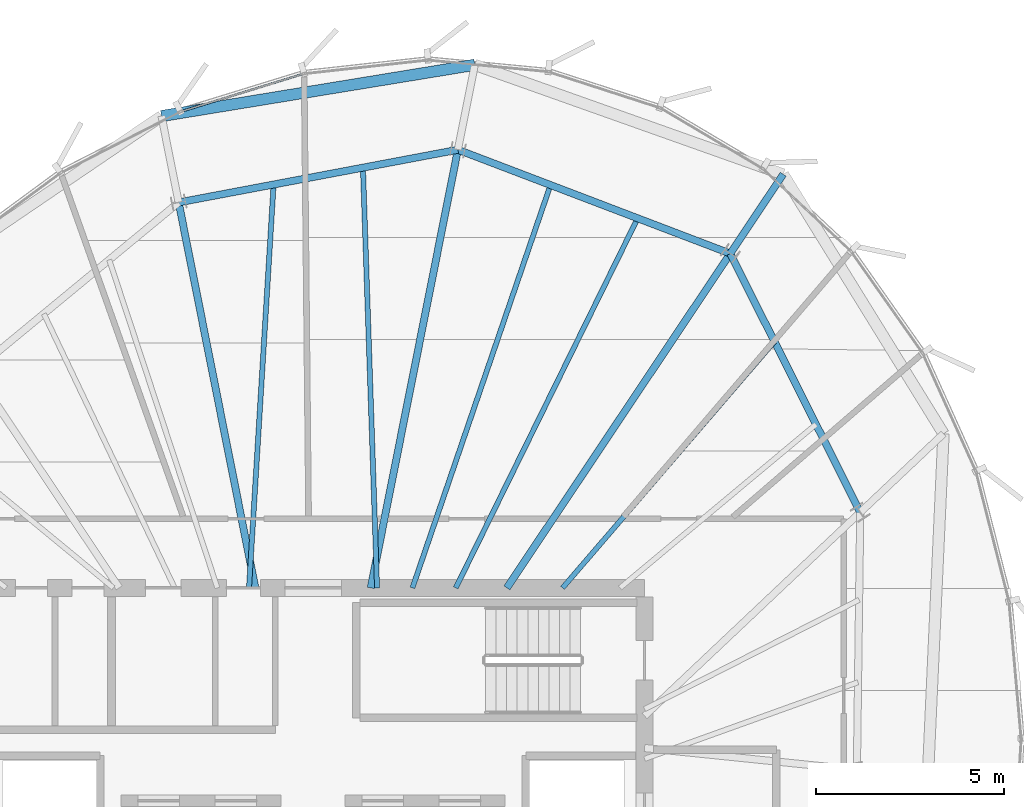
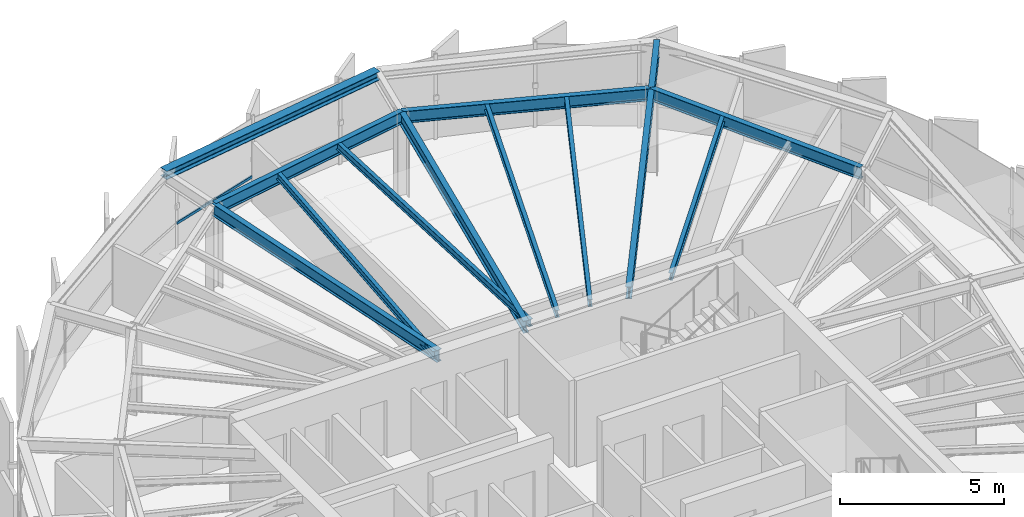
# One storey, part 19 of 30: 13 beams, 1 member, 1 element without a shape of its own.
"""IFC4 building model written with IfcOpenShell, lengths in metres."""

import ifcopenshell
import ifcopenshell.guid

model = None  # the IFC model being written
_history = None  # IfcOwnerHistory: only IFC2X3 demands one
_inside = {}  # id of a spatial element -> (the spatial element, [elements in it])
_under = {}  # id of a project, library or spatial element -> (it, [spatial elements below it])
_declared = {}  # id of a project -> (the project, [libraries it declares])
_typed = {}  # id of a type object -> (the type object, [elements of that type])
_made_of = {}  # id of a material, layer set ... -> (it, [elements and type objects made of it])


def new_model(schema):
    """Start an empty IFC model of exactly this schema.

    Asked for "IFC4X3", IfcOpenShell would pick the latest addendum, in which some entities
    have other attributes; the version numbers below select the first issue.
    IFC2X3 requires an IfcOwnerHistory on every rooted entity: one is made here for all.
    """
    global model, _history
    if schema == "IFC4X3":
        model = ifcopenshell.file(schema_version=(4, 3, 0, 0))
    else:
        model = ifcopenshell.file(schema=schema)
    _inside.clear()
    _under.clear()
    _declared.clear()
    _typed.clear()
    _made_of.clear()
    _history = None
    if model.schema == "IFC2X3":
        org = make("IfcOrganization", Name="unknown")
        user = make(
            "IfcPersonAndOrganization",
            ThePerson=make("IfcPerson", FamilyName="unknown"),
            TheOrganization=org,
        )
        app = make(
            "IfcApplication",
            ApplicationDeveloper=org,
            Version="unknown",
            ApplicationFullName="unknown",
            ApplicationIdentifier="unknown",
        )
        _history = make(
            "IfcOwnerHistory",
            OwningUser=user,
            OwningApplication=app,
            ChangeAction="ADDED",
            CreationDate=0,
        )
    return model


def make(cls, **values):
    """One entity of the class cls with the attributes given. An attribute that is None is left unset."""
    return model.create_entity(
        cls, **{name: value for name, value in values.items() if value is not None}
    )


def rooted(cls, **values):
    """An entity with a GlobalId (a new one), such as an element, a storey or a relation."""
    return make(cls, GlobalId=ifcopenshell.guid.new(), OwnerHistory=_history, **values)


def si_unit(unit_type, name, prefix=None):
    """IfcSIUnit, for example si_unit("LENGTHUNIT", "METRE", prefix="MILLI")."""
    return make("IfcSIUnit", UnitType=unit_type, Prefix=prefix, Name=name)


def assignment(units):
    """IfcUnitAssignment: the units of a project."""
    return None if units is None else make("IfcUnitAssignment", Units=units)


def point(xyz):
    """IfcCartesianPoint."""
    return None if xyz is None else make("IfcCartesianPoint", Coordinates=xyz)


def direction(xyz):
    """IfcDirection."""
    return None if xyz is None else make("IfcDirection", DirectionRatios=xyz)


def frame(location, z_axis=None, x_axis=None):
    """IfcAxis2Placement3D, a coordinate frame: its origin and axes. An axis left out is left unset."""
    return make(
        "IfcAxis2Placement3D",
        Location=point(location),
        Axis=direction(z_axis),
        RefDirection=direction(x_axis),
    )


def frame_2d(location, x_axis=None):
    """IfcAxis2Placement2D, a coordinate frame in the plane: its origin and x axis."""
    return make(
        "IfcAxis2Placement2D", Location=point(location), RefDirection=direction(x_axis)
    )


def origin():
    """The frame at (0, 0, 0) with its axes left unset."""
    return frame((0.0, 0.0, 0.0))


def origin_2d():
    """The frame at (0, 0) in the plane with its x axis left unset."""
    return frame_2d((0.0, 0.0))


def place(relative_to, where):
    """IfcLocalPlacement: puts the frame where relative to a parent placement (None: the world)."""
    return make(
        "IfcLocalPlacement", PlacementRelTo=relative_to, RelativePlacement=where
    )


def context(
    kind, dimensions, precision=None, world=None, true_north=None, identifier=None
):
    """IfcGeometricRepresentationContext, for example the 3D "Model" context."""
    return make(
        "IfcGeometricRepresentationContext",
        ContextIdentifier=identifier,
        ContextType=kind,
        CoordinateSpaceDimension=dimensions,
        Precision=precision,
        WorldCoordinateSystem=world,
        TrueNorth=true_north,
    )


def subcontext(parent, identifier, kind, view, scale=None):
    """IfcGeometricRepresentationSubContext, for example "Body" below "Model"."""
    return make(
        "IfcGeometricRepresentationSubContext",
        ContextIdentifier=identifier,
        ContextType=kind,
        ParentContext=parent,
        TargetScale=scale,
        TargetView=view,
    )


def project(units=None, contexts=None):
    """IfcProject with its units and contexts."""
    return rooted(
        "IfcProject",
        Name="project",
        RepresentationContexts=contexts,
        UnitsInContext=assignment(units),
    )


def spatial(cls, under=None, at=None, **own):
    """A site, building, storey or space (cls), placed at a placement, below another one or the project."""
    s = rooted(cls, ObjectPlacement=at, **own)
    if under is not None:
        _under.setdefault(under.id(), (under, []))[1].append(s)
    return s


def profile(cls, at=None, kind="AREA", **sizes):
    """A parametric profile (cls). Its sizes go by their IFC names, for example OverallWidth=200.0."""
    return make(cls, ProfileType=kind, Position=at, **sizes)


def hollow_rectangle(**sizes):
    """IfcRectangleHollowProfileDef."""
    return profile("IfcRectangleHollowProfileDef", **sizes)


def i_section(**sizes):
    """IfcIShapeProfileDef."""
    return profile("IfcIShapeProfileDef", **sizes)


def extrude(swept, where, along, depth):
    """IfcExtrudedAreaSolid: the profile swept, set in the frame where, extruded along a direction by depth."""
    return make(
        "IfcExtrudedAreaSolid",
        SweptArea=swept,
        Position=where,
        ExtrudedDirection=direction(along),
        Depth=depth,
    )


def shape(context_of_items, identifier, shape_type, items):
    """IfcShapeRepresentation: the items that make up one representation, for example the "Body"."""
    return make(
        "IfcShapeRepresentation",
        ContextOfItems=context_of_items,
        RepresentationIdentifier=identifier,
        RepresentationType=shape_type,
        Items=items,
    )


def source(mapping_origin, context_of_items, identifier, shape_type, items):
    """IfcRepresentationMap: a shape defined once, which mapped items show again and again."""
    return make(
        "IfcRepresentationMap",
        MappingOrigin=mapping_origin,
        MappedRepresentation=shape(context_of_items, identifier, shape_type, items),
    )


def transform(
    local_origin,
    x_axis=None,
    y_axis=None,
    z_axis=None,
    scale=None,
    scale2=None,
    scale3=None,
    uniform=True,
):
    """IfcCartesianTransformationOperator3D, or its non-uniform kind. x_axis, y_axis, z_axis: its Axis1, 2, 3."""
    if uniform:
        return make(
            "IfcCartesianTransformationOperator3D",
            Axis1=direction(x_axis),
            Axis2=direction(y_axis),
            LocalOrigin=point(local_origin),
            Scale=scale,
            Axis3=direction(z_axis),
        )
    return make(
        "IfcCartesianTransformationOperator3DnonUniform",
        Axis1=direction(x_axis),
        Axis2=direction(y_axis),
        LocalOrigin=point(local_origin),
        Scale=scale,
        Axis3=direction(z_axis),
        Scale2=scale2,
        Scale3=scale3,
    )


def mapped(mapping_source, mapping_target):
    """IfcMappedItem: shows the shape of a source again, moved by a transform."""
    return make(
        "IfcMappedItem", MappingSource=mapping_source, MappingTarget=mapping_target
    )


def material(Name=None, Category=None):
    """IfcMaterial."""
    return make("IfcMaterial", Name=Name, Category=Category)


def layer(
    of_material, thickness, ventilated=None, Name=None, Category=None, Priority=None
):
    """IfcMaterialLayer: one layer of a wall or slab, of a material (None: an air gap)."""
    return make(
        "IfcMaterialLayer",
        Material=of_material,
        LayerThickness=thickness,
        IsVentilated=ventilated,
        Name=Name,
        Category=Category,
        Priority=Priority,
    )


def layer_set(layers, Name=None):
    """IfcMaterialLayerSet."""
    return make("IfcMaterialLayerSet", MaterialLayers=layers, LayerSetName=Name)


def material_profile(
    of_material, cross_section, Name=None, Category=None, Priority=None
):
    """IfcMaterialProfile: a cross section and its material."""
    return make(
        "IfcMaterialProfile",
        Name=Name,
        Material=of_material,
        Profile=cross_section,
        Priority=Priority,
        Category=Category,
    )


def profile_set(profiles, Name=None, composite=None):
    """IfcMaterialProfileSet."""
    return make(
        "IfcMaterialProfileSet",
        Name=Name,
        MaterialProfiles=profiles,
        CompositeProfile=composite,
    )


def made_of(thing, what):
    """Note that an element or type object is made of a material, layer set ...; save() writes the relation."""
    if what is not None:
        _made_of.setdefault(what.id(), (what, []))[1].append(thing)
    return thing


def type_object(cls, material=None, **own):
    """A type object (cls), such as IfcWallType, which elements share."""
    return made_of(rooted(cls, **own), material)


def element(
    cls,
    number,
    at=None,
    inside=None,
    cuts=None,
    type_object=None,
    material=None,
    context=None,
    identifier="Body",
    shape_type=None,
    held_by="IfcProductDefinitionShape",
    body=None,
    shapes=None,
    **own,
):
    """One element of the class cls, such as IfcWall. Its Tag is "e" and its number.

    at: its placement. inside: the storey or other place that contains it. cuts: it is an
    opening in that element (IfcRelVoidsElement). A single representation is given by context,
    identifier, shape_type and body (its items); several are given by shapes. held_by: the class
    of the entity that holds the representations. save() writes the other relations.
    """
    e = rooted(cls, Tag="e%d" % number, ObjectPlacement=at, **own)
    if body is not None:
        shapes = [shape(context, identifier, shape_type, body)]
    if shapes is not None:
        e.Representation = make(held_by, Representations=shapes)
    if inside is not None:
        _inside.setdefault(inside.id(), (inside, []))[1].append(e)
    if cuts is not None:
        rooted(
            "IfcRelVoidsElement", RelatingBuildingElement=cuts, RelatedOpeningElement=e
        )
    if type_object is not None:
        _typed.setdefault(type_object.id(), (type_object, []))[1].append(e)
    return made_of(e, material)


def aggregate(whole, parts):
    """IfcRelAggregates: a whole, such as a stair, and the parts it consists of."""
    return rooted("IfcRelAggregates", RelatingObject=whole, RelatedObjects=parts)


def save(model, path):
    """Write the relations noted so far, then the file.

    IfcRelAggregates (storeys below a building ...), IfcRelContainedInSpatialStructure (elements
    in a storey), IfcRelDefinesByType, IfcRelAssociatesMaterial and IfcRelDeclares: one each for
    every whole, place, type object, material and project.
    """
    for whole, parts in _under.values():
        aggregate(whole, parts)
    for where, things in _inside.values():
        rooted(
            "IfcRelContainedInSpatialStructure",
            RelatedElements=things,
            RelatingStructure=where,
        )
    for kind, things in _typed.values():
        rooted("IfcRelDefinesByType", RelatedObjects=things, RelatingType=kind)
    for what, things in _made_of.values():
        rooted("IfcRelAssociatesMaterial", RelatedObjects=things, RelatingMaterial=what)
    for by, libraries in _declared.values():
        rooted("IfcRelDeclares", RelatingContext=by, RelatedDefinitions=libraries)
    model.write(path)


model = new_model("IFC4")

# Units and contexts
model_context = context("Model", 3, precision=1e-05, world=origin(), true_north=direction((0.0, 1.0)))
body_context = subcontext(model_context, "Body", "Model", "MODEL_VIEW")
ifc_project = project(units=[si_unit("LENGTHUNIT", "METRE"), si_unit("AREAUNIT", "SQUARE_METRE"), si_unit("VOLUMEUNIT", "CUBIC_METRE"), si_unit("PLANEANGLEUNIT", "RADIAN"), si_unit("MASSUNIT", "GRAM", prefix="KILO"), si_unit("THERMODYNAMICTEMPERATUREUNIT", "KELVIN")], contexts=[model_context])

# Site, building, storey
site_placement = place(None, origin())
site = spatial("IfcSite", under=ifc_project, at=site_placement, CompositionType="ELEMENT")
building_placement = place(site_placement, origin())
building = spatial("IfcBuilding", under=site, at=building_placement, Name="Kethvar Cultural Tower", CompositionType="ELEMENT")
storey_placement = place(building_placement, frame((0.0, 0.0, 297.39990234375)))
storey = spatial("IfcBuildingStorey", under=building, at=storey_placement, Name="L79", CompositionType="ELEMENT", Elevation=297.39990234375)

# Beams
ifc_material_1 = material(Name="Steel S355J2", Category="steel")
ifc_material_profile_1 = material_profile(ifc_material_1, i_section(OverallWidth=0.18994140625, OverallDepth=0.449951171875, WebThickness=0.009521484375, FlangeThickness=0.0146484375, FilletRadius=0.02099609375, at=origin_2d()), Name="Steel S355J2 — IPE450")
ifc_profile_set_1 = profile_set([ifc_material_profile_1], Name="Steel S355J2 — IPE450")
beam_type_1 = type_object("IfcBeamType", Name="BM-IPE450", PredefinedType="BEAM", material=ifc_profile_set_1)
shared_shape_1 = source(origin(), body_context, "Body", "SweptSolid", [
    extrude(i_section(OverallWidth=0.18994140625, OverallDepth=0.449951171875, WebThickness=0.009521484375, FlangeThickness=0.0146484375, FilletRadius=0.02099609375, at=origin_2d()), origin(), (0.0, 0.0, 1.0), 10.673828125),
])
beam_1_placement = place(storey_placement, frame((51.945068359375, 35.5, 2.983154296875), z_axis=(0.555576086183, 0.831465701314, 0.0), x_axis=(-0.831465701314, 0.555576086183, 0.0)))
element("IfcBeam", 1, at=beam_1_placement, inside=storey, type_object=beam_type_1, Name="L79 Primary Radial Beam RB-03", PredefinedType="BEAM", context=body_context, shape_type="MappedRepresentation", body=[
    mapped(shared_shape_1, transform((0.0, 0.0, 0.0), scale=1.0)),
])
shared_shape_2 = source(origin(), body_context, "Body", "SweptSolid", [
    extrude(i_section(OverallWidth=0.18994140625, OverallDepth=0.449951171875, WebThickness=0.009521484375, FlangeThickness=0.0146484375, FilletRadius=0.02099609375, at=origin_2d()), origin(), (0.0, 0.0, 1.0), 11.859375),
])
beam_2_placement = place(storey_placement, frame((48.33154296875, 35.5, 2.983154296875), z_axis=(0.195094640585, 0.980784421377, 0.0), x_axis=(-0.980784421377, 0.195094640585, 0.0)))
element("IfcBeam", 2, at=beam_2_placement, inside=storey, type_object=beam_type_1, Name="L79 Primary Radial Beam RB-04", PredefinedType="BEAM", context=body_context, shape_type="MappedRepresentation", body=[
    mapped(shared_shape_2, transform((0.0, 0.0, 0.0), scale=1.0)),
])
shared_shape_3 = source(origin(), body_context, "Body", "SweptSolid", [
    extrude(i_section(OverallWidth=0.18994140625, OverallDepth=0.449951171875, WebThickness=0.009521484375, FlangeThickness=0.0146484375, FilletRadius=0.02099609375, at=origin_2d()), origin(), (0.0, 0.0, 1.0), 10.432861328125),
])
beam_3_placement = place(storey_placement, frame((45.268310546875, 35.5, 2.983154296875), z_axis=(-0.195094483249, 0.980784452673, 0.0), x_axis=(-0.980784452673, -0.195094483249, 0.0)))
element("IfcBeam", 3, at=beam_3_placement, inside=storey, type_object=beam_type_1, Name="L79 Primary Radial Beam RB-05", PredefinedType="BEAM", context=body_context, shape_type="MappedRepresentation", body=[
    mapped(shared_shape_3, transform((0.0, 0.0, 0.0), scale=1.0)),
])
shared_shape_4 = source(origin(), body_context, "Body", "SweptSolid", [
    extrude(i_section(OverallWidth=0.18994140625, OverallDepth=0.449951171875, WebThickness=0.009521484375, FlangeThickness=0.0146484375, FilletRadius=0.02099609375, at=origin_2d()), origin(), (0.0, 0.0, 1.0), 7.68701171875),
])
beam_4_placement = place(storey_placement, frame((61.32568359375, 37.505859375, 2.983154296875), z_axis=(-0.448864354142, 0.893599905763, 0.0), x_axis=(-0.893599905763, -0.448864354142, 0.0)))
element("IfcBeam", 4, at=beam_4_placement, inside=storey, type_object=beam_type_1, Name="L79 Column Ring Tie Beam CR-02", PredefinedType="BEAM", context=body_context, shape_type="MappedRepresentation", body=[
    mapped(shared_shape_4, transform((0.0, 0.0, 0.0), scale=1.0)),
])
ifc_material_profile_2 = material_profile(ifc_material_1, i_section(OverallWidth=0.135009765625, OverallDepth=0.27001953125, WebThickness=0.006591796875, FlangeThickness=0.01025390625, FilletRadius=0.014892578125, at=origin_2d()), Name="Steel S355J2 — IPE270")
ifc_profile_set_2 = profile_set([ifc_material_profile_2], Name="Steel S355J2 — IPE270")
beam_type_2 = type_object("IfcBeamType", Name="BM-J270", PredefinedType="JOIST", material=ifc_profile_set_2)
shared_shape_5 = source(origin(), body_context, "Body", "SweptSolid", [
    extrude(i_section(OverallWidth=0.135009765625, OverallDepth=0.27001953125, WebThickness=0.006591796875, FlangeThickness=0.01025390625, FilletRadius=0.014892578125, at=origin_2d()), origin(), (0.0, 0.0, 1.0), 8.6259765625),
])
beam_5_placement = place(storey_placement, frame((53.42333984375, 35.5, 3.072998046875), z_axis=(0.65210499689, 0.758128665222, 0.0), x_axis=(-0.758128665222, 0.65210499689, 0.0)))
element("IfcBeam", 5, at=beam_5_placement, inside=storey, type_object=beam_type_2, Name="L79 Composite Floor Joist J-02B", PredefinedType="JOIST", context=body_context, shape_type="MappedRepresentation", body=[
    mapped(shared_shape_5, transform((0.0, 0.0, 0.0), scale=1.0)),
])
shared_shape_6 = source(origin(), body_context, "Body", "SweptSolid", [
    extrude(i_section(OverallWidth=0.18994140625, OverallDepth=0.449951171875, WebThickness=0.009521484375, FlangeThickness=0.0146484375, FilletRadius=0.02099609375, at=origin_2d()), origin(), (0.0, 0.0, 1.0), 7.737548828125),
])
beam_6_placement = place(storey_placement, frame((57.875244140625, 44.375, 2.983154296875), z_axis=(-0.934388230776, 0.356256416347, 0.0), x_axis=(-0.356256416347, -0.934388230776, 0.0)))
element("IfcBeam", 6, at=beam_6_placement, inside=storey, type_object=beam_type_1, Name="L79 Column Ring Tie Beam CR-03", PredefinedType="BEAM", context=body_context, shape_type="MappedRepresentation", body=[
    mapped(shared_shape_6, transform((0.0, 0.0, 0.0), scale=1.0)),
])
shared_shape_7 = source(origin(), body_context, "Body", "SweptSolid", [
    extrude(i_section(OverallWidth=0.135009765625, OverallDepth=0.27001953125, WebThickness=0.006591796875, FlangeThickness=0.01025390625, FilletRadius=0.014892578125, at=origin_2d()), origin(), (0.0, 0.0, 1.0), 10.935791015625),
])
beam_7_placement = place(storey_placement, frame((50.5888671875, 35.5, 3.072998046875), z_axis=(0.441498236677, 0.897262117227, 0.0), x_axis=(-0.897262117227, 0.441498236677, 0.0)))
element("IfcBeam", 7, at=beam_7_placement, inside=storey, type_object=beam_type_2, Name="L79 Composite Floor Joist J-03A", PredefinedType="JOIST", context=body_context, shape_type="MappedRepresentation", body=[
    mapped(shared_shape_7, transform((0.0, 0.0, 0.0), scale=1.0)),
])
shared_shape_8 = source(origin(), body_context, "Body", "SweptSolid", [
    extrude(i_section(OverallWidth=0.135009765625, OverallDepth=0.27001953125, WebThickness=0.006591796875, FlangeThickness=0.01025390625, FilletRadius=0.014892578125, at=origin_2d()), origin(), (0.0, 0.0, 1.0), 11.304931640625),
])
beam_8_placement = place(storey_placement, frame((49.438720703125, 35.5, 3.072998046875), z_axis=(0.324179110764, 0.945995720997, 0.0), x_axis=(-0.945995720997, 0.324179110764, 0.0)))
element("IfcBeam", 8, at=beam_8_placement, inside=storey, type_object=beam_type_2, Name="L79 Composite Floor Joist J-03B", PredefinedType="JOIST", context=body_context, shape_type="MappedRepresentation", body=[
    mapped(shared_shape_8, transform((0.0, 0.0, 0.0), scale=1.0)),
])
shared_shape_9 = source(origin(), body_context, "Body", "SweptSolid", [
    extrude(i_section(OverallWidth=0.18994140625, OverallDepth=0.449951171875, WebThickness=0.009521484375, FlangeThickness=0.0146484375, FilletRadius=0.02099609375, at=origin_2d()), origin(), (0.0, 0.0, 1.0), 7.543212890625),
])
beam_9_placement = place(storey_placement, frame((50.645263671875, 47.131591796875, 2.983154296875), z_axis=(-0.982646853086, -0.185486285532, 0.0), x_axis=(0.185486285532, -0.982646853086, 0.0)))
element("IfcBeam", 9, at=beam_9_placement, inside=storey, type_object=beam_type_1, Name="L79 Column Ring Tie Beam CR-04", PredefinedType="BEAM", context=body_context, shape_type="MappedRepresentation", body=[
    mapped(shared_shape_9, transform((0.0, 0.0, 0.0), scale=1.0)),
])
shared_shape_10 = source(origin(), body_context, "Body", "SweptSolid", [
    extrude(i_section(OverallWidth=0.135009765625, OverallDepth=0.27001953125, WebThickness=0.006591796875, FlangeThickness=0.01025390625, FilletRadius=0.014892578125, at=origin_2d()), origin(), (0.0, 0.0, 1.0), 11.162109375),
])
beam_10_placement = place(storey_placement, frame((48.5, 35.5, 3.072998046875), z_axis=(-0.0335959409, 0.999435497046, 0.0), x_axis=(-0.999435497046, -0.0335959409, 0.0)))
element("IfcBeam", 10, at=beam_10_placement, inside=storey, type_object=beam_type_2, Name="L79 Composite Floor Joist J-04A", PredefinedType="JOIST", context=body_context, shape_type="MappedRepresentation", body=[
    mapped(shared_shape_10, transform((0.0, 0.0, 0.0), scale=1.0)),
])
shared_shape_11 = source(origin(), body_context, "Body", "SweptSolid", [
    extrude(i_section(OverallWidth=0.135009765625, OverallDepth=0.27001953125, WebThickness=0.006591796875, FlangeThickness=0.01025390625, FilletRadius=0.014892578125, at=origin_2d()), origin(), (0.0, 0.0, 1.0), 10.727783203125),
])
beam_11_placement = place(storey_placement, frame((45.10009765625, 35.5, 3.072998046875), z_axis=(0.060876395586, 0.998145312297, 0.0), x_axis=(-0.998145312297, 0.060876395586, 0.0)))
element("IfcBeam", 11, at=beam_11_placement, inside=storey, type_object=beam_type_2, Name="L79 Composite Floor Joist J-04B", PredefinedType="JOIST", context=body_context, shape_type="MappedRepresentation", body=[
    mapped(shared_shape_11, transform((0.0, 0.0, 0.0), scale=1.0)),
])
shared_shape_12 = source(origin(), body_context, "Body", "SweptSolid", [
    extrude(i_section(OverallWidth=0.18994140625, OverallDepth=0.449951171875, WebThickness=0.009521484375, FlangeThickness=0.0146484375, FilletRadius=0.02099609375, at=origin_2d()), origin(), (0.0, 0.0, 1.0), 2.53076171875),
])
beam_12_placement = place(storey_placement, frame((57.875244140625, 44.375, 2.983154296875), z_axis=(0.555568120155, 0.83147102407, 0.0), x_axis=(-0.83147102407, 0.555568120155, 0.0)))
element("IfcBeam", 12, at=beam_12_placement, inside=storey, type_object=beam_type_1, Name="L79 Perimeter Cantilever Beam RC-03", PredefinedType="BEAM", context=body_context, shape_type="MappedRepresentation", body=[
    mapped(shared_shape_12, transform((0.0, 0.0, 0.0), scale=1.0)),
])
ifc_material_profile_3 = material_profile(ifc_material_1, i_section(OverallWidth=0.300048828125, OverallDepth=0.320068359375, WebThickness=0.011474609375, FlangeThickness=0.0205078125, FilletRadius=0.027099609375, at=origin_2d()), Name="Steel S355J2 — HEB320")
ifc_profile_set_3 = profile_set([ifc_material_profile_3], Name="Steel S355J2 — HEB320")
beam_type_3 = type_object("IfcBeamType", Name="BM-SP320", PredefinedType="SPANDREL", material=ifc_profile_set_3)
shared_shape_13 = source(origin(), body_context, "Body", "SweptSolid", [
    extrude(i_section(OverallWidth=0.300048828125, OverallDepth=0.320068359375, WebThickness=0.011474609375, FlangeThickness=0.0205078125, FilletRadius=0.027099609375, at=origin_2d()), origin(), (0.0, 0.0, 1.0), 8.427490234375),
])
beam_13_placement = place(storey_placement, frame((51.09375, 49.38623046875, 3.048095703125), z_axis=(-0.986881213567, -0.16144804213, 0.0), x_axis=(0.16144804213, -0.986881213567, 0.0)))
element("IfcBeam", 13, at=beam_13_placement, inside=storey, type_object=beam_type_3, Name="L79 Perimeter Spandrel Beam SP-04", PredefinedType="SPANDREL", context=body_context, shape_type="MappedRepresentation", body=[
    mapped(shared_shape_13, transform((0.0, 0.0, 0.0), scale=1.0)),
])

# Curtain wall, member
ifc_material_2 = material(Name="Aluminium 6063-T6", Category="aluminium")
ifc_layer = layer(ifc_material_2, 0.179931640625, Name="Aluminium 6063-T6", Category="aluminium")
ifc_layer_set = layer_set([ifc_layer], Name="Aluminium 6063-T6 (180 mm)")
curtain_wall_type = type_object("IfcCurtainWallType", Name="CW-SYS-05-Z56", PredefinedType="NOTDEFINED", material=ifc_layer_set)
curtain_wall_placement = place(storey_placement, origin())
curtain_wall = element("IfcCurtainWall", 14, at=curtain_wall_placement, inside=storey, type_object=curtain_wall_type, Name="L79 Curtain Wall Run 01", PredefinedType="NOTDEFINED")
ifc_material_profile_4 = material_profile(ifc_material_2, hollow_rectangle(XDim=0.050048828125, YDim=0.10009765625, WallThickness=0.00390625, at=origin_2d()), Name="Aluminium 6063-T6 — RHS100x50x4")
ifc_profile_set_4 = profile_set([ifc_material_profile_4], Name="Aluminium 6063-T6 — RHS100x50x4")
member_type = type_object("IfcMemberType", Name="CW-SYS-05-Z56-TRN", PredefinedType="USERDEFINED", material=ifc_profile_set_4)
shared_shape_14 = source(origin(), body_context, "Body", "SweptSolid", [
    extrude(hollow_rectangle(XDim=0.050048828125, YDim=0.10009765625, WallThickness=0.00390625, at=origin_2d()), origin(), (0.0, 0.0, 1.0), 3.375),
])
member_placement = place(storey_placement, frame((46.526123046875, 49.1416015625, 0.9501953125), z_axis=(-0.955608360874, -0.294639882955, 0.0), x_axis=(0.294639882955, -0.955608360874, 0.0)))
member = element("IfcMember", 15, at=member_placement, type_object=member_type, Name="CW-L79-R01 Transom 4", ObjectType="TRANSOM", PredefinedType="USERDEFINED", context=body_context, shape_type="MappedRepresentation", body=[
    mapped(shared_shape_14, transform((0.0, 0.0, 0.0), scale=1.0)),
])
aggregate(curtain_wall, [member])

save(model, "model.ifc")
